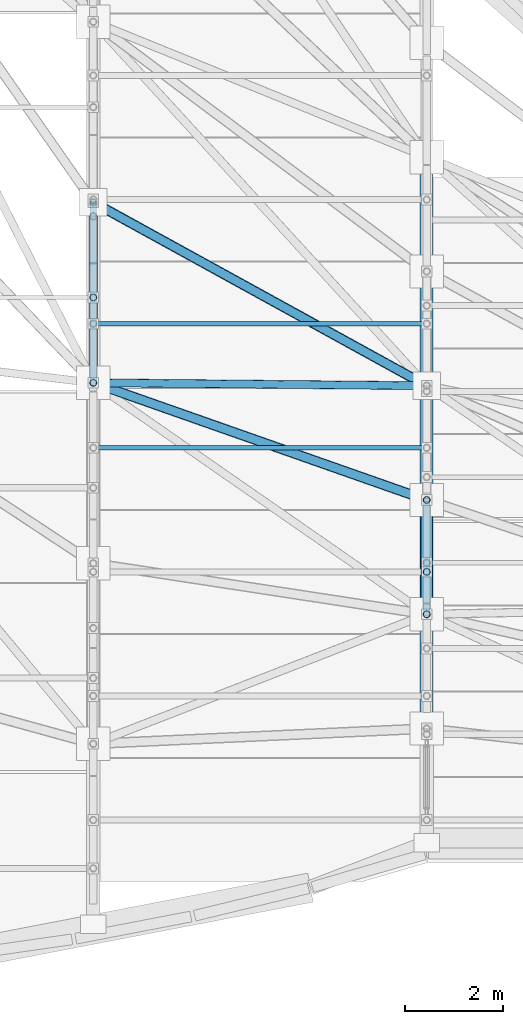
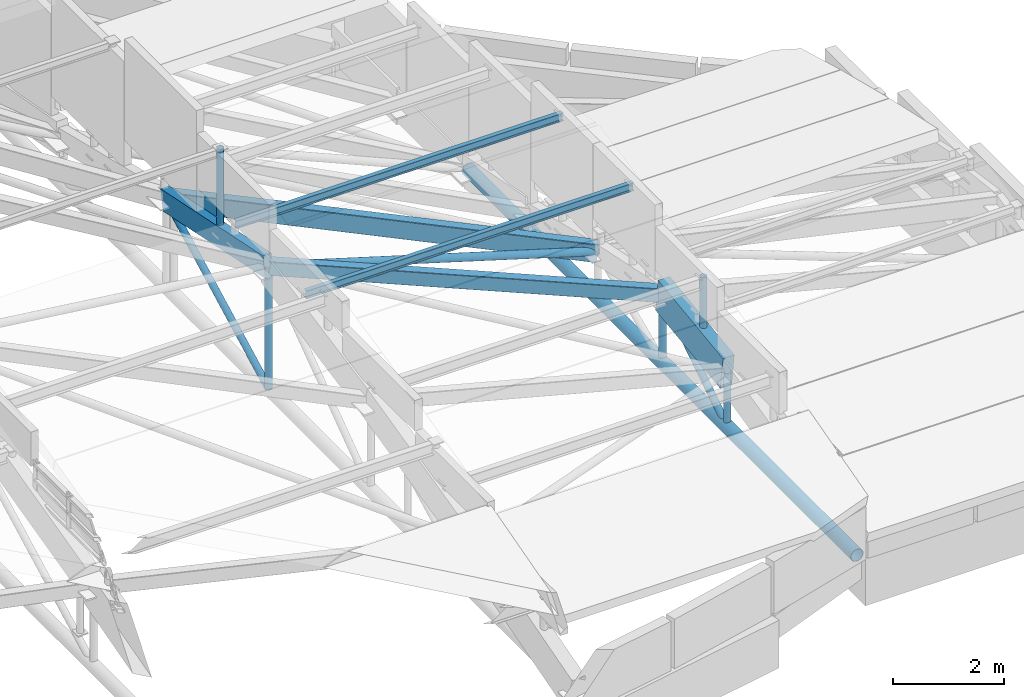
# One storey, part 32 of 188: 15 members.
"""IFC4 building model written with IfcOpenShell, lengths in metres."""

from ifc_helpers import new_model, si_unit, direction, frame, origin, origin_2d, place, context, subcontext, project, spatial, rectangle, hollow_rectangle, hollow_circle, i_section, extrude, material, material_profile, profile_set, type_object, element, save


model = new_model("IFC4")

# Units and contexts
model_context = context("Model", 3, precision=1e-05, world=origin(), true_north=direction((0.0, 1.0)))
body_context = subcontext(model_context, "Body", "Model", "MODEL_VIEW")
ifc_project = project(units=[si_unit("LENGTHUNIT", "METRE"), si_unit("AREAUNIT", "SQUARE_METRE"), si_unit("VOLUMEUNIT", "CUBIC_METRE"), si_unit("PLANEANGLEUNIT", "RADIAN"), si_unit("MASSUNIT", "GRAM", prefix="KILO")], contexts=[model_context])

# Site, building, storey
site_placement = place(None, origin())
site = spatial("IfcSite", under=ifc_project, at=site_placement, CompositionType="ELEMENT")
building_placement = place(site_placement, origin())
building = spatial("IfcBuilding", under=site, at=building_placement, Name="Kisaragi Civic Commons", CompositionType="ELEMENT")
storey_placement = place(building_placement, frame((0.0, 0.0, 9.60009765625)))
storey = spatial("IfcBuildingStorey", under=building, at=storey_placement, Name="L02", CompositionType="ELEMENT", Elevation=9.60009765625)

# Members
ifc_material_1 = material(Name="Steel SN400 (SN400B)", Category="steel")
ifc_material_profile_1 = material_profile(ifc_material_1, hollow_circle(Radius=0.08251953125, WallThickness=0.006103515625, at=origin_2d()), Name="CHS-165.2x6.0", Category="steel")
ifc_profile_set_1 = profile_set([ifc_material_profile_1], Name="Steel SN400 (SN400B)")
member_type_1 = type_object("IfcMemberType", Name="BR-02", PredefinedType="BRACE", material=ifc_profile_set_1)
member_1_placement = place(storey_placement, frame((34.0, 13.4033203125, 2.602783203125), z_axis=(0.958536876462, -0.008362634581, -0.28484578776), x_axis=(0.008724042386, 0.999961944818, 0.0)))
element("IfcMember", 1, at=member_1_placement, inside=storey, type_object=member_type_1, Name="V1 diagonal gridshell steel brace 33", PredefinedType="BRACE", context=body_context, shape_type="SweptSolid", body=[
    extrude(hollow_circle(Radius=0.08251953125, WallThickness=0.006103515625, at=origin_2d()), origin(), (0.0, 0.0, 1.0), 7.09423828125),
])
ifc_material_2 = material(Name="Steel SN490 (SN490B)", Category="steel")
ifc_material_profile_2 = material_profile(ifc_material_2, hollow_rectangle(XDim=0.199951171875, YDim=0.39990234375, WallThickness=0.011962890625, InnerFilletRadius=0.011962890625, OuterFilletRadius=0.02392578125, at=origin_2d()), Name="STKR-400x200x12", Category="steel")
ifc_profile_set_2 = profile_set([ifc_material_profile_2], Name="Steel SN490 (SN490B)")
member_type_2 = type_object("IfcMemberType", Name="GC-01", PredefinedType="CHORD", material=ifc_profile_set_2)
member_2_placement = place(storey_placement, frame((34.0, 17.0849609375, 1.845947265625), z_axis=(0.864772640906, -0.475744486289, -0.160734138584), x_axis=(0.482011728613, 0.876164763888, 0.0)))
element("IfcMember", 2, at=member_2_placement, inside=storey, type_object=member_type_2, Name="V1 wave gridshell chord GC-01 39", PredefinedType="CHORD", context=body_context, shape_type="SweptSolid", body=[
    extrude(hollow_rectangle(XDim=0.199951171875, YDim=0.39990234375, WallThickness=0.011962890625, InnerFilletRadius=0.011962890625, OuterFilletRadius=0.02392578125, at=origin_2d()), origin(), (0.0, 0.0, 1.0), 7.86328125),
])
ifc_material_profile_3 = material_profile(ifc_material_2, hollow_rectangle(XDim=0.199951171875, YDim=0.300048828125, WallThickness=0.009033203125, InnerFilletRadius=0.009033203125, OuterFilletRadius=0.01806640625, at=origin_2d()), Name="STKR-300x200x9", Category="steel")
ifc_profile_set_3 = profile_set([ifc_material_profile_3], Name="Steel SN490 (SN490B)")
member_type_3 = type_object("IfcMemberType", Name="GC-02", PredefinedType="CHORD", material=ifc_profile_set_3)
member_3_placement = place(storey_placement, frame((34.0, 13.4033203125, 2.602783203125), z_axis=(0.922783700952, -0.324380684882, -0.20796012246), x_axis=(0.331631033003, 0.943409167832, 0.0)))
element("IfcMember", 3, at=member_3_placement, inside=storey, type_object=member_type_3, Name="V1 wave gridshell chord GC-02 38", PredefinedType="CHORD", context=body_context, shape_type="SweptSolid", body=[
    extrude(hollow_rectangle(XDim=0.199951171875, YDim=0.300048828125, WallThickness=0.009033203125, InnerFilletRadius=0.009033203125, OuterFilletRadius=0.01806640625, at=origin_2d()), origin(), (0.0, 0.0, 1.0), 7.369140625),
])
ifc_material_3 = material(Name="Glulam E120-F330", Category="wood")
ifc_material_profile_4 = material_profile(ifc_material_3, rectangle(XDim=0.239990234375, YDim=0.719970703125, at=origin_2d()), Name="GL-240x720", Category="wood")
ifc_profile_set_4 = profile_set([ifc_material_profile_4], Name="Glulam E120-F330")
member_type_4 = type_object("IfcMemberType", Name="GR-02", PredefinedType="RAFTER", material=ifc_profile_set_4)
member_4_placement = place(storey_placement, frame((40.800048828125, 8.681884765625, 0.761962890625), z_axis=(0.0, 0.991364296711, 0.131136689018), x_axis=(-1.0, 0.0, 0.0)))
element("IfcMember", 4, at=member_4_placement, inside=storey, type_object=member_type_4, Name="V1 glulam arch rib GR-02 51", PredefinedType="RAFTER", context=body_context, shape_type="SweptSolid", body=[
    extrude(rectangle(XDim=0.239990234375, YDim=0.719970703125, at=origin_2d()), origin(), (0.0, 0.0, 1.0), 2.351318359375),
])
ifc_material_profile_5 = material_profile(ifc_material_3, rectangle(XDim=0.179931640625, YDim=0.449951171875, at=origin_2d()), Name="GL-180x450", Category="wood")
ifc_profile_set_5 = profile_set([ifc_material_profile_5], Name="Glulam E120-F330")
member_type_5 = type_object("IfcMemberType", Name="GR-05", PredefinedType="RAFTER", material=ifc_profile_set_5)
member_5_placement = place(storey_placement, frame((34.0, 13.4033203125, 2.602783203125), z_axis=(0.0, 0.979517372224, -0.201359672009), x_axis=(-1.0, 0.0, 0.0)))
element("IfcMember", 5, at=member_5_placement, inside=storey, type_object=member_type_5, Name="V1 glulam arch rib GR-05 44", PredefinedType="RAFTER", context=body_context, shape_type="SweptSolid", body=[
    extrude(rectangle(XDim=0.179931640625, YDim=0.449951171875, at=origin_2d()), origin(), (0.0, 0.0, 1.0), 3.758544921875),
])
ifc_material_profile_6 = material_profile(ifc_material_1, i_section(OverallWidth=0.090087890625, OverallDepth=0.175048828125, WebThickness=0.0048828125, FlangeThickness=0.008056640625, FilletRadius=0.008056640625, at=origin_2d()), Name="H-175x90x5x8", Category="steel")
ifc_profile_set_6 = profile_set([ifc_material_profile_6], Name="Steel SN400 (SN400B)")
member_type_6 = type_object("IfcMemberType", Name="PR-03", PredefinedType="PURLIN", material=ifc_profile_set_6)
for number, where, z_axis, x_axis, name in (
    (6, (34.0, 12.07861328125, 2.790283203125), (1.0, 0.0, 0.0), (0.0, 1.0, 0.0), "V1 wave vault steel purlin 43"),
    (7, (34.0, 14.609619140625, 2.790283203125), (1.0, 0.0, 0.0), (0.0, 1.0, 0.0), "V1 wave vault steel purlin 44"),
):
    element("IfcMember", number, at=place(storey_placement, frame(where, z_axis=z_axis, x_axis=x_axis)), inside=storey, type_object=member_type_6, Name=name, PredefinedType="PURLIN", context=body_context, shape_type="SweptSolid", body=[
        extrude(i_section(OverallWidth=0.090087890625, OverallDepth=0.175048828125, WebThickness=0.0048828125, FlangeThickness=0.008056640625, FilletRadius=0.008056640625, at=origin_2d()), origin(), (0.0, 0.0, 1.0), 6.800048828125),
    ])
ifc_material_profile_7 = material_profile(ifc_material_2, hollow_circle(Radius=0.06982421875, WallThickness=0.006103515625, at=origin_2d()), Name="CHS-139.8x6.0", Category="steel")
ifc_profile_set_7 = profile_set([ifc_material_profile_7], Name="Steel SN490 (SN490B)")
member_type_7 = type_object("IfcMemberType", Name="ST-H1", PredefinedType="STRUT", material=ifc_profile_set_7)
member_6_placement = place(storey_placement, frame((34.0, 13.4033203125, -0.080078125), z_axis=(0.0, 0.0, 1.0), x_axis=(1.0, 0.0, 0.0)))
element("IfcMember", 8, at=member_6_placement, inside=storey, type_object=member_type_7, Name="V1 arch tie hanger strut 73", PredefinedType="STRUT", context=body_context, shape_type="SweptSolid", body=[
    extrude(hollow_circle(Radius=0.06982421875, WallThickness=0.006103515625, at=origin_2d()), origin(), (0.0, 0.0, 1.0), 2.682861328125),
])
member_7_placement = place(storey_placement, frame((34.0, 13.4033203125, -0.080078125), z_axis=(0.0, 0.886074079349, 0.463543661272), x_axis=(-1.0, 0.0, 0.0)))
element("IfcMember", 9, at=member_7_placement, inside=storey, type_object=member_type_7, Name="V1 tied arch truss diagonal web strut 80", PredefinedType="STRUT", context=body_context, shape_type="SweptSolid", body=[
    extrude(hollow_circle(Radius=0.06982421875, WallThickness=0.006103515625, at=origin_2d()), origin(), (0.0, 0.0, 1.0), 4.155029296875),
])
member_8_placement = place(storey_placement, frame((40.800048828125, 8.681884765625, -0.440673828125), z_axis=(0.0, 0.0, 1.0), x_axis=(1.0, 0.0, 0.0)))
element("IfcMember", 10, at=member_8_placement, inside=storey, type_object=member_type_7, Name="V1 arch tie hanger strut 84", PredefinedType="STRUT", context=body_context, shape_type="SweptSolid", body=[
    extrude(hollow_circle(Radius=0.06982421875, WallThickness=0.006103515625, at=origin_2d()), origin(), (0.0, 0.0, 1.0), 1.20263671875),
])
member_9_placement = place(storey_placement, frame((40.800048828125, 11.012939453125, -0.440673828125), z_axis=(0.0, 0.0, 1.0), x_axis=(1.0, 0.0, 0.0)))
element("IfcMember", 11, at=member_9_placement, inside=storey, type_object=member_type_7, Name="V1 arch tie hanger strut 85", PredefinedType="STRUT", context=body_context, shape_type="SweptSolid", body=[
    extrude(hollow_circle(Radius=0.06982421875, WallThickness=0.006103515625, at=origin_2d()), origin(), (0.0, 0.0, 1.0), 1.510986328125),
])
member_10_placement = place(storey_placement, frame((40.800048828125, 8.681884765625, -0.440673828125), z_axis=(0.0, 0.839133672798, 0.543925251461), x_axis=(-1.0, 0.0, 0.0)))
element("IfcMember", 12, at=member_10_placement, inside=storey, type_object=member_type_7, Name="V1 tied arch truss diagonal web strut 89", PredefinedType="STRUT", context=body_context, shape_type="SweptSolid", body=[
    extrude(hollow_circle(Radius=0.06982421875, WallThickness=0.006103515625, at=origin_2d()), origin(), (0.0, 0.0, 1.0), 2.77783203125),
])
member_11_placement = place(storey_placement, frame((34.0, 15.14404296875, 2.244873046875), z_axis=(0.0, 0.0, 1.0), x_axis=(1.0, 0.0, 0.0)))
element("IfcMember", 13, at=member_11_placement, inside=storey, type_object=member_type_7, Name="V1 clerestory monitor horizontal tie strut 5.5.4", PredefinedType="STRUT", context=body_context, shape_type="SweptSolid", body=[
    extrude(hollow_circle(Radius=0.06982421875, WallThickness=0.006103515625, at=origin_2d()), origin(), (0.0, 0.0, 1.0), 1.90380859375),
])
member_12_placement = place(storey_placement, frame((40.800048828125, 9.547607421875, 0.87646484375), z_axis=(0.0, 0.0, 1.0), x_axis=(1.0, 0.0, 0.0)))
element("IfcMember", 14, at=member_12_placement, inside=storey, type_object=member_type_7, Name="V1 clerestory monitor horizontal tie strut 6.6.3", PredefinedType="STRUT", context=body_context, shape_type="SweptSolid", body=[
    extrude(hollow_circle(Radius=0.06982421875, WallThickness=0.006103515625, at=origin_2d()), origin(), (0.0, 0.0, 1.0), 1.46826171875),
])
ifc_material_profile_8 = material_profile(ifc_material_2, hollow_circle(Radius=0.1337890625, WallThickness=0.009033203125, at=origin_2d()), Name="CHS-267.4x9.0", Category="steel")
ifc_profile_set_8 = profile_set([ifc_material_profile_8], Name="Steel SN490 (SN490B)")
member_type_8 = type_object("IfcMemberType", Name="ST-T1", PredefinedType="STRUT", material=ifc_profile_set_8)
member_13_placement = place(storey_placement, frame((40.800048828125, 4.02001953125, -0.440673828125), z_axis=(0.0, 1.0, 0.0), x_axis=(-1.0, 0.0, 0.0)))
element("IfcMember", 15, at=member_13_placement, inside=storey, type_object=member_type_8, Name="V1 arch tension tie ST-T1 82", PredefinedType="STRUT", context=body_context, shape_type="SweptSolid", body=[
    extrude(hollow_circle(Radius=0.1337890625, WallThickness=0.009033203125, at=origin_2d()), origin(), (0.0, 0.0, 1.0), 13.986083984375),
])

save(model, "model.ifc")
